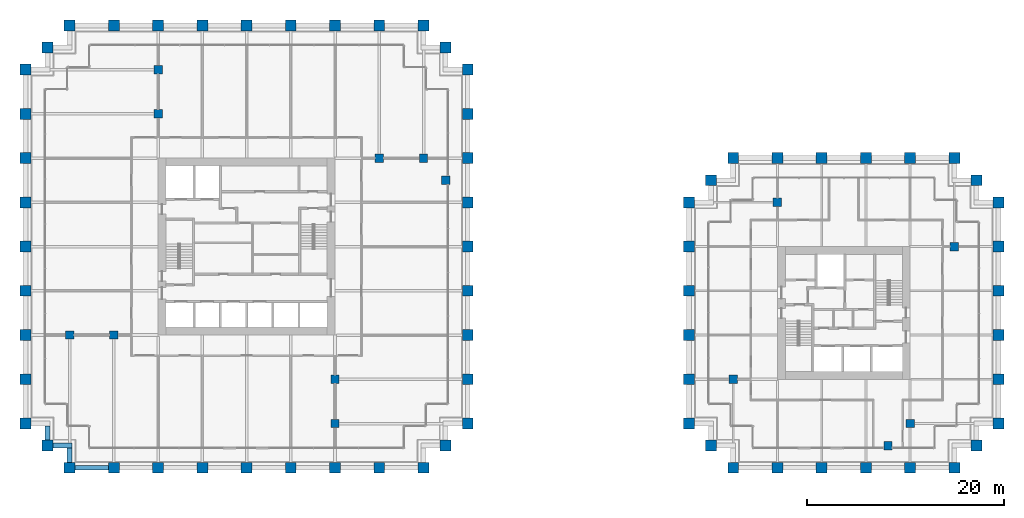
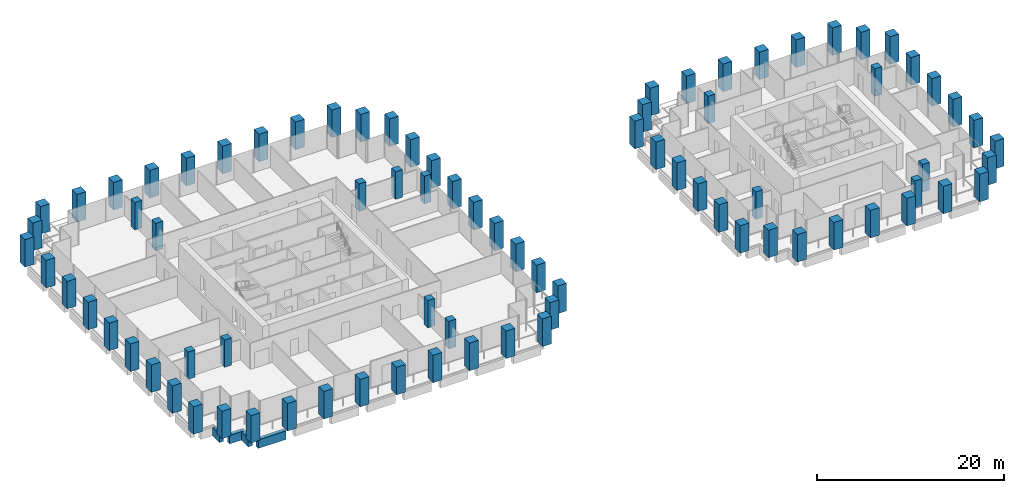
# One storey, part 1 of 56: 82 columns, 4 beams.
"""IFC4 building model written with IfcOpenShell, lengths in metres."""

import ifcopenshell
import ifcopenshell.guid

model = None  # the IFC model being written
_history = None  # IfcOwnerHistory: only IFC2X3 demands one
_inside = {}  # id of a spatial element -> (the spatial element, [elements in it])
_under = {}  # id of a project, library or spatial element -> (it, [spatial elements below it])
_declared = {}  # id of a project -> (the project, [libraries it declares])
_typed = {}  # id of a type object -> (the type object, [elements of that type])
_made_of = {}  # id of a material, layer set ... -> (it, [elements and type objects made of it])


def new_model(schema):
    """Start an empty IFC model of exactly this schema.

    Asked for "IFC4X3", IfcOpenShell would pick the latest addendum, in which some entities
    have other attributes; the version numbers below select the first issue.
    IFC2X3 requires an IfcOwnerHistory on every rooted entity: one is made here for all.
    """
    global model, _history
    if schema == "IFC4X3":
        model = ifcopenshell.file(schema_version=(4, 3, 0, 0))
    else:
        model = ifcopenshell.file(schema=schema)
    _inside.clear()
    _under.clear()
    _declared.clear()
    _typed.clear()
    _made_of.clear()
    _history = None
    if model.schema == "IFC2X3":
        org = make("IfcOrganization", Name="unknown")
        user = make(
            "IfcPersonAndOrganization",
            ThePerson=make("IfcPerson", FamilyName="unknown"),
            TheOrganization=org,
        )
        app = make(
            "IfcApplication",
            ApplicationDeveloper=org,
            Version="unknown",
            ApplicationFullName="unknown",
            ApplicationIdentifier="unknown",
        )
        _history = make(
            "IfcOwnerHistory",
            OwningUser=user,
            OwningApplication=app,
            ChangeAction="ADDED",
            CreationDate=0,
        )
    return model


def make(cls, **values):
    """One entity of the class cls with the attributes given. An attribute that is None is left unset."""
    return model.create_entity(
        cls, **{name: value for name, value in values.items() if value is not None}
    )


def rooted(cls, **values):
    """An entity with a GlobalId (a new one), such as an element, a storey or a relation."""
    return make(cls, GlobalId=ifcopenshell.guid.new(), OwnerHistory=_history, **values)


def si_unit(unit_type, name, prefix=None):
    """IfcSIUnit, for example si_unit("LENGTHUNIT", "METRE", prefix="MILLI")."""
    return make("IfcSIUnit", UnitType=unit_type, Prefix=prefix, Name=name)


def assignment(units):
    """IfcUnitAssignment: the units of a project."""
    return None if units is None else make("IfcUnitAssignment", Units=units)


def point(xyz):
    """IfcCartesianPoint."""
    return None if xyz is None else make("IfcCartesianPoint", Coordinates=xyz)


def direction(xyz):
    """IfcDirection."""
    return None if xyz is None else make("IfcDirection", DirectionRatios=xyz)


def frame(location, z_axis=None, x_axis=None):
    """IfcAxis2Placement3D, a coordinate frame: its origin and axes. An axis left out is left unset."""
    return make(
        "IfcAxis2Placement3D",
        Location=point(location),
        Axis=direction(z_axis),
        RefDirection=direction(x_axis),
    )


def frame_2d(location, x_axis=None):
    """IfcAxis2Placement2D, a coordinate frame in the plane: its origin and x axis."""
    return make(
        "IfcAxis2Placement2D", Location=point(location), RefDirection=direction(x_axis)
    )


def origin():
    """The frame at (0, 0, 0) with its axes left unset."""
    return frame((0.0, 0.0, 0.0))


def origin_2d():
    """The frame at (0, 0) in the plane with its x axis left unset."""
    return frame_2d((0.0, 0.0))


def place(relative_to, where):
    """IfcLocalPlacement: puts the frame where relative to a parent placement (None: the world)."""
    return make(
        "IfcLocalPlacement", PlacementRelTo=relative_to, RelativePlacement=where
    )


def context(
    kind, dimensions, precision=None, world=None, true_north=None, identifier=None
):
    """IfcGeometricRepresentationContext, for example the 3D "Model" context."""
    return make(
        "IfcGeometricRepresentationContext",
        ContextIdentifier=identifier,
        ContextType=kind,
        CoordinateSpaceDimension=dimensions,
        Precision=precision,
        WorldCoordinateSystem=world,
        TrueNorth=true_north,
    )


def subcontext(parent, identifier, kind, view, scale=None):
    """IfcGeometricRepresentationSubContext, for example "Body" below "Model"."""
    return make(
        "IfcGeometricRepresentationSubContext",
        ContextIdentifier=identifier,
        ContextType=kind,
        ParentContext=parent,
        TargetScale=scale,
        TargetView=view,
    )


def project(units=None, contexts=None):
    """IfcProject with its units and contexts."""
    return rooted(
        "IfcProject",
        Name="project",
        RepresentationContexts=contexts,
        UnitsInContext=assignment(units),
    )


def spatial(cls, under=None, at=None, **own):
    """A site, building, storey or space (cls), placed at a placement, below another one or the project."""
    s = rooted(cls, ObjectPlacement=at, **own)
    if under is not None:
        _under.setdefault(under.id(), (under, []))[1].append(s)
    return s


def profile(cls, at=None, kind="AREA", **sizes):
    """A parametric profile (cls). Its sizes go by their IFC names, for example OverallWidth=200.0."""
    return make(cls, ProfileType=kind, Position=at, **sizes)


def rectangle(**sizes):
    """IfcRectangleProfileDef."""
    return profile("IfcRectangleProfileDef", **sizes)


def extrude(swept, where, along, depth):
    """IfcExtrudedAreaSolid: the profile swept, set in the frame where, extruded along a direction by depth."""
    return make(
        "IfcExtrudedAreaSolid",
        SweptArea=swept,
        Position=where,
        ExtrudedDirection=direction(along),
        Depth=depth,
    )


def shape(context_of_items, identifier, shape_type, items):
    """IfcShapeRepresentation: the items that make up one representation, for example the "Body"."""
    return make(
        "IfcShapeRepresentation",
        ContextOfItems=context_of_items,
        RepresentationIdentifier=identifier,
        RepresentationType=shape_type,
        Items=items,
    )


def material(Name=None, Category=None):
    """IfcMaterial."""
    return make("IfcMaterial", Name=Name, Category=Category)


def material_profile(
    of_material, cross_section, Name=None, Category=None, Priority=None
):
    """IfcMaterialProfile: a cross section and its material."""
    return make(
        "IfcMaterialProfile",
        Name=Name,
        Material=of_material,
        Profile=cross_section,
        Priority=Priority,
        Category=Category,
    )


def profile_set(profiles, Name=None, composite=None):
    """IfcMaterialProfileSet."""
    return make(
        "IfcMaterialProfileSet",
        Name=Name,
        MaterialProfiles=profiles,
        CompositeProfile=composite,
    )


def made_of(thing, what):
    """Note that an element or type object is made of a material, layer set ...; save() writes the relation."""
    if what is not None:
        _made_of.setdefault(what.id(), (what, []))[1].append(thing)
    return thing


def type_object(cls, material=None, **own):
    """A type object (cls), such as IfcWallType, which elements share."""
    return made_of(rooted(cls, **own), material)


def element(
    cls,
    number,
    at=None,
    inside=None,
    cuts=None,
    type_object=None,
    material=None,
    context=None,
    identifier="Body",
    shape_type=None,
    held_by="IfcProductDefinitionShape",
    body=None,
    shapes=None,
    **own,
):
    """One element of the class cls, such as IfcWall. Its Tag is "e" and its number.

    at: its placement. inside: the storey or other place that contains it. cuts: it is an
    opening in that element (IfcRelVoidsElement). A single representation is given by context,
    identifier, shape_type and body (its items); several are given by shapes. held_by: the class
    of the entity that holds the representations. save() writes the other relations.
    """
    e = rooted(cls, Tag="e%d" % number, ObjectPlacement=at, **own)
    if body is not None:
        shapes = [shape(context, identifier, shape_type, body)]
    if shapes is not None:
        e.Representation = make(held_by, Representations=shapes)
    if inside is not None:
        _inside.setdefault(inside.id(), (inside, []))[1].append(e)
    if cuts is not None:
        rooted(
            "IfcRelVoidsElement", RelatingBuildingElement=cuts, RelatedOpeningElement=e
        )
    if type_object is not None:
        _typed.setdefault(type_object.id(), (type_object, []))[1].append(e)
    return made_of(e, material)


def aggregate(whole, parts):
    """IfcRelAggregates: a whole, such as a stair, and the parts it consists of."""
    return rooted("IfcRelAggregates", RelatingObject=whole, RelatedObjects=parts)


def save(model, path):
    """Write the relations noted so far, then the file.

    IfcRelAggregates (storeys below a building ...), IfcRelContainedInSpatialStructure (elements
    in a storey), IfcRelDefinesByType, IfcRelAssociatesMaterial and IfcRelDeclares: one each for
    every whole, place, type object, material and project.
    """
    for whole, parts in _under.values():
        aggregate(whole, parts)
    for where, things in _inside.values():
        rooted(
            "IfcRelContainedInSpatialStructure",
            RelatedElements=things,
            RelatingStructure=where,
        )
    for kind, things in _typed.values():
        rooted("IfcRelDefinesByType", RelatedObjects=things, RelatingType=kind)
    for what, things in _made_of.values():
        rooted("IfcRelAssociatesMaterial", RelatedObjects=things, RelatingMaterial=what)
    for by, libraries in _declared.values():
        rooted("IfcRelDeclares", RelatingContext=by, RelatedDefinitions=libraries)
    model.write(path)


model = new_model("IFC4")

# Units and contexts
model_context = context("Model", 3, precision=1e-05, world=origin(), true_north=direction((0.0, 1.0)))
body_context = subcontext(model_context, "Body", "Model", "MODEL_VIEW")
ifc_project = project(units=[si_unit("LENGTHUNIT", "METRE"), si_unit("AREAUNIT", "SQUARE_METRE"), si_unit("VOLUMEUNIT", "CUBIC_METRE"), si_unit("PLANEANGLEUNIT", "RADIAN"), si_unit("MASSUNIT", "GRAM", prefix="KILO")], contexts=[model_context])

# Site, building, storey
site_placement = place(None, origin())
site = spatial("IfcSite", under=ifc_project, at=site_placement, CompositionType="ELEMENT")
building_placement = place(site_placement, origin())
building = spatial("IfcBuilding", under=site, at=building_placement, Name="Altepetl Exchange Towers", CompositionType="ELEMENT")
storey_placement = place(building_placement, frame((0.0, 0.0, 54.60009765625)))
storey = spatial("IfcBuildingStorey", under=building, at=storey_placement, Name="L12", CompositionType="ELEMENT", Elevation=54.60009765625)

# Columns
ifc_material_1 = material(Name="Concrete C70/85", Category="concrete")
ifc_material_profile_1 = material_profile(ifc_material_1, rectangle(XDim=0.85009765625, YDim=0.85009765625, at=origin_2d()), Name="850 x 850")
ifc_profile_set_1 = profile_set([ifc_material_profile_1], Name="Concrete C70/85")
column_type_1 = type_object("IfcColumnType", Name="Interior column 850", PredefinedType="COLUMN", material=ifc_profile_set_1)
for number, where, name in (
    (1, (31.5, 40.5, 0.0), "col:A:L12:040"),
    (2, (36.0, 40.5, 0.0), "col:A:L12:041"),
    (3, (40.5, 63.0, 0.0), "col:A:L12:042"),
    (4, (40.5, 67.5, 0.0), "col:A:L12:043"),
    (5, (58.5, 31.5, 0.0), "col:A:L12:044"),
    (6, (58.5, 36.0, 0.0), "col:A:L12:045"),
    (7, (63.0, 58.5, 0.0), "col:A:L12:046"),
    (8, (67.5, 58.5, 0.0), "col:A:L12:047"),
    (9, (69.75, 56.25, 0.0), "col:A:L12:048"),
    (10, (99.0, 36.0, 0.0), "col:B:L12:028"),
    (11, (103.5, 54.0, 0.0), "col:B:L12:029"),
    (12, (114.75, 29.25, 0.0), "col:B:L12:030"),
    (13, (117.0, 31.5, 0.0), "col:B:L12:031"),
    (14, (121.5, 49.5, 0.0), "col:B:L12:032"),
):
    element("IfcColumn", number, at=place(storey_placement, frame(where)), inside=storey, type_object=column_type_1, Name=name, PredefinedType="COLUMN", context=body_context, shape_type="SweptSolid", body=[
        extrude(rectangle(XDim=0.85009765625, YDim=0.85009765625, at=origin_2d()), origin(), (0.0, 0.0, 1.0), 3.599853515625),
    ])
ifc_material_2 = material(Name="Concrete C70/85 precast with cantera amarilla facing", Category="concrete")
ifc_material_profile_2 = material_profile(ifc_material_2, rectangle(XDim=1.10009765625, YDim=1.10009765625, at=origin_2d()), Name="1100 x 1100")
ifc_profile_set_2 = profile_set([ifc_material_profile_2], Name="Concrete C70/85 precast with cantera amarilla facing")
column_type_2 = type_object("IfcColumnType", Name="Perimeter column 1100 cantera amarilla", PredefinedType="COLUMN", material=ifc_profile_set_2)
for number, where, name in (
    (15, (58.5, 27.0, 0.0), "col:A:L12:006"),
    (16, (63.0, 27.0, 0.0), "col:A:L12:007"),
    (17, (67.5, 27.0, 0.0), "col:A:L12:008"),
    (18, (69.75, 29.25, 0.0), "col:A:L12:009"),
    (19, (72.0, 31.5, 0.0), "col:A:L12:010"),
    (20, (72.0, 36.0, 0.0), "col:A:L12:011"),
    (21, (72.0, 40.5, 0.0), "col:A:L12:012"),
    (22, (72.0, 45.0, 0.0), "col:A:L12:013"),
    (23, (72.0, 49.5, 0.0), "col:A:L12:014"),
    (24, (72.0, 54.0, 0.0), "col:A:L12:015"),
    (25, (126.0, 49.5, 0.0), "col:B:L12:011"),
    (26, (126.0, 54.0, 0.0), "col:B:L12:012"),
    (27, (123.75, 56.25, 0.0), "col:B:L12:013"),
    (28, (121.5, 58.5, 0.0), "col:B:L12:014"),
    (29, (117.0, 58.5, 0.0), "col:B:L12:015"),
    (30, (112.5, 58.5, 0.0), "col:B:L12:016"),
    (31, (108.0, 58.5, 0.0), "col:B:L12:017"),
):
    element("IfcColumn", number, at=place(storey_placement, frame(where)), inside=storey, type_object=column_type_2, Name=name, PredefinedType="COLUMN", context=body_context, shape_type="SweptSolid", body=[
        extrude(rectangle(XDim=1.10009765625, YDim=1.10009765625, at=origin_2d()), origin(), (0.0, 0.0, 1.0), 3.599853515625),
    ])
ifc_material_3 = material(Name="Concrete C70/85 precast with cantera blanca facing", Category="concrete")
ifc_material_profile_3 = material_profile(ifc_material_3, rectangle(XDim=1.10009765625, YDim=1.10009765625, at=origin_2d()), Name="1100 x 1100")
ifc_profile_set_3 = profile_set([ifc_material_profile_3], Name="Concrete C70/85 precast with cantera blanca facing")
column_type_3 = type_object("IfcColumnType", Name="Perimeter column 1100 cantera blanca", PredefinedType="COLUMN", material=ifc_profile_set_3)
for number, where, name in (
    (32, (31.5, 27.0, 0.0), "col:A:L12:000"),
    (33, (36.0, 27.0, 0.0), "col:A:L12:001"),
    (34, (40.5, 27.0, 0.0), "col:A:L12:002"),
    (35, (45.0, 27.0, 0.0), "col:A:L12:003"),
    (36, (49.5, 27.0, 0.0), "col:A:L12:004"),
    (37, (54.0, 27.0, 0.0), "col:A:L12:005"),
    (38, (27.0, 36.0, 0.0), "col:A:L12:037"),
    (39, (27.0, 31.5, 0.0), "col:A:L12:038"),
    (40, (29.25, 29.25, 0.0), "col:A:L12:039"),
    (41, (117.0, 27.0, 0.0), "col:B:L12:004"),
    (42, (121.5, 27.0, 0.0), "col:B:L12:005"),
    (43, (123.75, 29.25, 0.0), "col:B:L12:006"),
    (44, (126.0, 31.5, 0.0), "col:B:L12:007"),
    (45, (126.0, 36.0, 0.0), "col:B:L12:008"),
    (46, (126.0, 40.5, 0.0), "col:B:L12:009"),
    (47, (126.0, 45.0, 0.0), "col:B:L12:010"),
):
    element("IfcColumn", number, at=place(storey_placement, frame(where)), inside=storey, type_object=column_type_3, Name=name, PredefinedType="COLUMN", context=body_context, shape_type="SweptSolid", body=[
        extrude(rectangle(XDim=1.10009765625, YDim=1.10009765625, at=origin_2d()), origin(), (0.0, 0.0, 1.0), 3.599853515625),
    ])
ifc_material_4 = material(Name="Concrete C70/85 precast with cantera rosa facing", Category="concrete")
ifc_material_profile_4 = material_profile(ifc_material_4, rectangle(XDim=1.10009765625, YDim=1.10009765625, at=origin_2d()), Name="1100 x 1100")
ifc_profile_set_4 = profile_set([ifc_material_profile_4], Name="Concrete C70/85 precast with cantera rosa facing")
column_type_4 = type_object("IfcColumnType", Name="Perimeter column 1100 cantera rosa", PredefinedType="COLUMN", material=ifc_profile_set_4)
for number, where, name in (
    (48, (72.0, 58.5, 0.0), "col:A:L12:016"),
    (49, (72.0, 63.0, 0.0), "col:A:L12:017"),
    (50, (72.0, 67.5, 0.0), "col:A:L12:018"),
    (51, (69.75, 69.75, 0.0), "col:A:L12:019"),
    (52, (67.5, 72.0, 0.0), "col:A:L12:020"),
    (53, (63.0, 72.0, 0.0), "col:A:L12:021"),
    (54, (58.5, 72.0, 0.0), "col:A:L12:022"),
    (55, (54.0, 72.0, 0.0), "col:A:L12:023"),
    (56, (49.5, 72.0, 0.0), "col:A:L12:024"),
    (57, (45.0, 72.0, 0.0), "col:A:L12:025"),
    (58, (103.5, 58.5, 0.0), "col:B:L12:018"),
    (59, (99.0, 58.5, 0.0), "col:B:L12:019"),
    (60, (96.75, 56.25, 0.0), "col:B:L12:020"),
    (61, (94.5, 54.0, 0.0), "col:B:L12:021"),
    (62, (94.5, 49.5, 0.0), "col:B:L12:022"),
    (63, (94.5, 45.0, 0.0), "col:B:L12:023"),
    (64, (94.5, 40.5, 0.0), "col:B:L12:024"),
    (65, (94.5, 36.0, 0.0), "col:B:L12:025"),
):
    element("IfcColumn", number, at=place(storey_placement, frame(where)), inside=storey, type_object=column_type_4, Name=name, PredefinedType="COLUMN", context=body_context, shape_type="SweptSolid", body=[
        extrude(rectangle(XDim=1.10009765625, YDim=1.10009765625, at=origin_2d()), origin(), (0.0, 0.0, 1.0), 3.599853515625),
    ])
ifc_material_5 = material(Name="Concrete C70/85 precast with tezontle facing", Category="concrete")
ifc_material_profile_5 = material_profile(ifc_material_5, rectangle(XDim=1.10009765625, YDim=1.10009765625, at=origin_2d()), Name="1100 x 1100")
ifc_profile_set_5 = profile_set([ifc_material_profile_5], Name="Concrete C70/85 precast with tezontle facing")
column_type_5 = type_object("IfcColumnType", Name="Perimeter column 1100 tezontle", PredefinedType="COLUMN", material=ifc_profile_set_5)
for number, where, name in (
    (66, (40.5, 72.0, 0.0), "col:A:L12:026"),
    (67, (36.0, 72.0, 0.0), "col:A:L12:027"),
    (68, (31.5, 72.0, 0.0), "col:A:L12:028"),
    (69, (29.25, 69.75, 0.0), "col:A:L12:029"),
    (70, (27.0, 67.5, 0.0), "col:A:L12:030"),
    (71, (27.0, 63.0, 0.0), "col:A:L12:031"),
    (72, (27.0, 58.5, 0.0), "col:A:L12:032"),
    (73, (27.0, 54.0, 0.0), "col:A:L12:033"),
    (74, (27.0, 49.5, 0.0), "col:A:L12:034"),
    (75, (27.0, 45.0, 0.0), "col:A:L12:035"),
    (76, (27.0, 40.5, 0.0), "col:A:L12:036"),
    (77, (99.0, 27.0, 0.0), "col:B:L12:000"),
    (78, (103.5, 27.0, 0.0), "col:B:L12:001"),
    (79, (108.0, 27.0, 0.0), "col:B:L12:002"),
    (80, (112.5, 27.0, 0.0), "col:B:L12:003"),
    (81, (94.5, 31.5, 0.0), "col:B:L12:026"),
    (82, (96.75, 29.25, 0.0), "col:B:L12:027"),
):
    element("IfcColumn", number, at=place(storey_placement, frame(where)), inside=storey, type_object=column_type_5, Name=name, PredefinedType="COLUMN", context=body_context, shape_type="SweptSolid", body=[
        extrude(rectangle(XDim=1.10009765625, YDim=1.10009765625, at=origin_2d()), origin(), (0.0, 0.0, 1.0), 3.599853515625),
    ])

# Beams
ifc_material_6 = material(Name="Concrete C50/60 precast with cantera blanca facing", Category="concrete")
ifc_material_profile_6 = material_profile(ifc_material_6, rectangle(XDim=0.5, YDim=1.10009765625, at=origin_2d()), Name="500 x 1100")
ifc_profile_set_6 = profile_set([ifc_material_profile_6], Name="Concrete C50/60 precast with cantera blanca facing")
beam_type = type_object("IfcBeamType", Name="Spandrel beam 500x1100 cantera blanca", PredefinedType="SPANDREL", material=ifc_profile_set_6)
beam_1_placement = place(storey_placement, frame((32.050048828125, 27.0, -0.7001953125), z_axis=(1.0, 0.0, 0.0), x_axis=(0.0, 1.0, 0.0)))
element("IfcBeam", 83, at=beam_1_placement, inside=storey, type_object=beam_type, Name="sp:A:L12:000", PredefinedType="SPANDREL", context=body_context, shape_type="SweptSolid", body=[
    extrude(rectangle(XDim=0.5, YDim=1.10009765625, at=origin_2d()), origin(), (0.0, 0.0, 1.0), 3.39990234375),
])
beam_2_placement = place(storey_placement, frame((29.25, 31.25, -0.7001953125), z_axis=(0.0, -1.0, 0.0), x_axis=(1.0, 0.0, 0.0)))
element("IfcBeam", 84, at=beam_2_placement, inside=storey, type_object=beam_type, Name="sp:A:L12:045", PredefinedType="SPANDREL", context=body_context, shape_type="SweptSolid", body=[
    extrude(rectangle(XDim=0.5, YDim=1.10009765625, at=origin_2d()), origin(), (0.0, 0.0, 1.0), 1.449951171875),
])
beam_3_placement = place(storey_placement, frame((29.800048828125, 29.25, -0.7001953125), z_axis=(1.0, 0.0, 0.0), x_axis=(0.0, 1.0, 0.0)))
element("IfcBeam", 85, at=beam_3_placement, inside=storey, type_object=beam_type, Name="sp:A:L12:046", PredefinedType="SPANDREL", context=body_context, shape_type="SweptSolid", body=[
    extrude(rectangle(XDim=0.5, YDim=1.10009765625, at=origin_2d()), origin(), (0.0, 0.0, 1.0), 1.949951171875),
])
beam_4_placement = place(storey_placement, frame((31.5, 29.0, -0.7001953125), z_axis=(0.0, -1.0, 0.0), x_axis=(1.0, 0.0, 0.0)))
element("IfcBeam", 86, at=beam_4_placement, inside=storey, type_object=beam_type, Name="sp:A:L12:047", PredefinedType="SPANDREL", context=body_context, shape_type="SweptSolid", body=[
    extrude(rectangle(XDim=0.5, YDim=1.10009765625, at=origin_2d()), origin(), (0.0, 0.0, 1.0), 1.449951171875),
])

save(model, "model.ifc")
